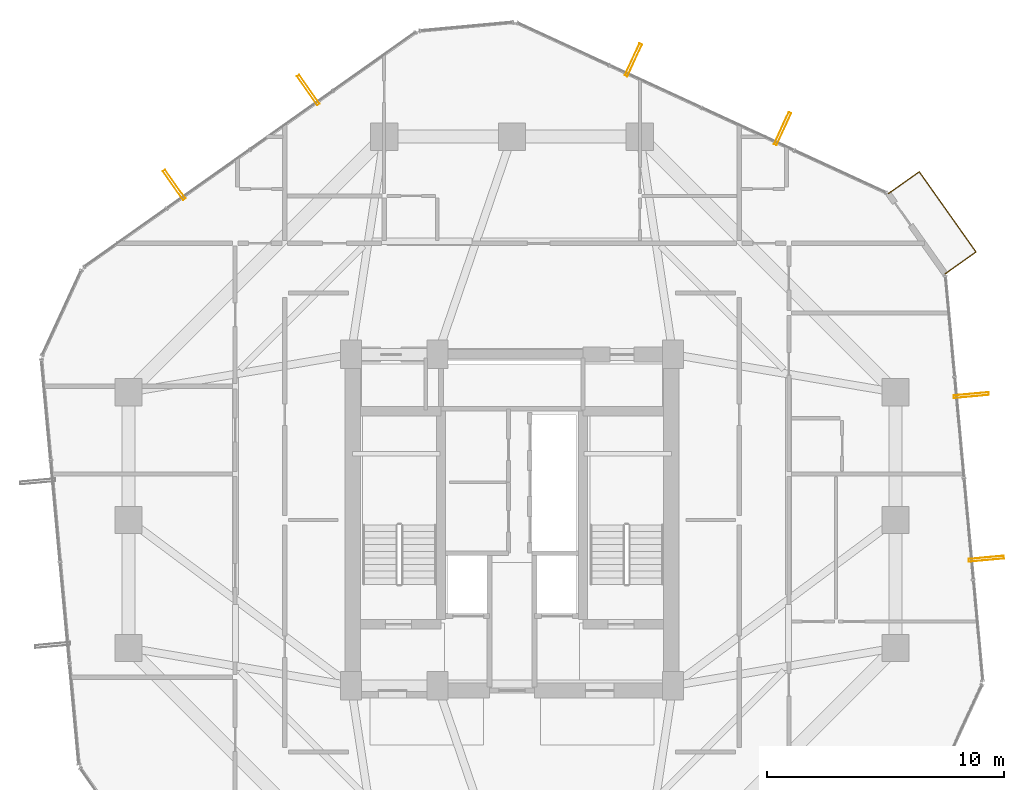
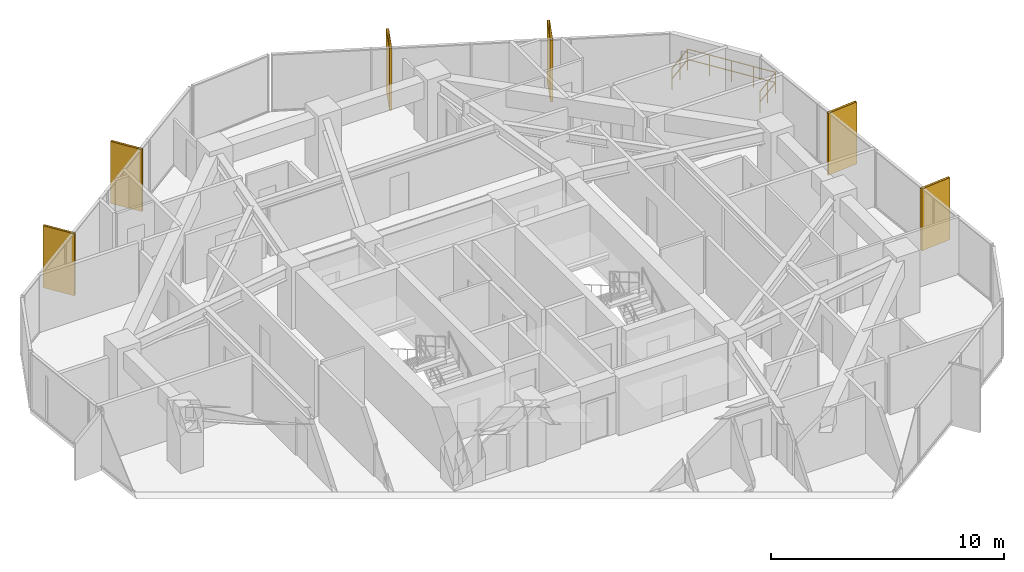
# One storey, part 33 of 33: 6 shading devices, 1 railing.
"""IFC4 building model written with IfcOpenShell, lengths in metres."""

from ifc_helpers import new_model, si_unit, direction, frame, origin, origin_2d, place, context, subcontext, project, spatial, hollow_rectangle, circle, extrude, material, material_profile, profile_set, type_object, element, save


model = new_model("IFC4")

# Units and contexts
model_context = context("Model", 3, precision=1e-05, world=origin(), true_north=direction((0.0, 1.0)))
body_context = subcontext(model_context, "Body", "Model", "MODEL_VIEW")
ifc_project = project(units=[si_unit("LENGTHUNIT", "METRE"), si_unit("AREAUNIT", "SQUARE_METRE"), si_unit("VOLUMEUNIT", "CUBIC_METRE"), si_unit("PLANEANGLEUNIT", "RADIAN"), si_unit("MASSUNIT", "GRAM", prefix="KILO")], contexts=[model_context])

# Site, building, storey
site_placement = place(None, origin())
site = spatial("IfcSite", under=ifc_project, at=site_placement, CompositionType="ELEMENT")
building_placement = place(site_placement, origin())
building = spatial("IfcBuilding", under=site, at=building_placement, Name="Veraguas Prism Commons", CompositionType="ELEMENT")
storey_placement = place(building_placement, frame((0.0, 0.0, 145.75)))
storey = spatial("IfcBuildingStorey", under=building, at=storey_placement, Name="L41", CompositionType="ELEMENT", Elevation=145.75)

# Shading devices
ifc_material_1 = material(Name="Anodised aluminium EN AW-6063 T6", Category="aluminium")
ifc_material_profile = material_profile(ifc_material_1, hollow_rectangle(XDim=0.1201171875, YDim=1.489990234375, WallThickness=0.006103515625, at=origin_2d()), Name="FIN120X1490X6")
ifc_profile_set = profile_set([ifc_material_profile], Name="Anodised aluminium EN AW-6063 T6")
shading_device_type = type_object("IfcShadingDeviceType", Name="Deep Pale-Metal Vertical Solar Fin 120x1490", PredefinedType="USERDEFINED", material=ifc_profile_set)
for number, where, z_axis, x_axis, name in (
    (1, (35.43603515625, 40.541015625, -0.22998046875), (0.0, 0.0, 1.0), (-0.908362259055, 0.418184177516, 0.0), "Vertical Pale-Metal Solar Fin L41-F1A"),
    (2, (29.13037109375, 43.44384765625, -0.22998046875), (0.0, 0.0, 1.0), (-0.908362259055, 0.418184177516, 0.0), "Vertical Pale-Metal Solar Fin L41-F1B"),
    (3, (15.393310546875, 42.17431640625, -0.22998046875), (0.0, 0.0, 1.0), (-0.81634025877, -0.577571278641, 0.0), "Vertical Pale-Metal Solar Fin L41-F2A"),
    (4, (9.726318359375, 38.164794921875, -0.22998046875), (0.0, 0.0, 1.0), (-0.81634025877, -0.577571278641, 0.0), "Vertical Pale-Metal Solar Fin L41-F2B"),
    (5, (44.042724609375, 22.36669921875, -0.22998046875), (0.0, 0.0, 1.0), (-0.092023008338, 0.995756880939, 0.0), "Vertical Pale-Metal Solar Fin L41-F6A"),
    (6, (43.404052734375, 29.27880859375, -0.22998046875), (0.0, 0.0, 1.0), (-0.092023008338, 0.995756880939, 0.0), "Vertical Pale-Metal Solar Fin L41-F6B"),
):
    element("IfcShadingDevice", number, at=place(storey_placement, frame(where, z_axis=z_axis, x_axis=x_axis)), inside=storey, type_object=shading_device_type, Name=name, ObjectType="FIN", PredefinedType="USERDEFINED", context=body_context, shape_type="SweptSolid", body=[
        extrude(hollow_rectangle(XDim=0.1201171875, YDim=1.489990234375, WallThickness=0.006103515625, at=origin_2d()), origin(), (0.0, 0.0, 1.0), 3.25),
    ])

# Railing
ifc_material_2 = material(Name="Stainless steel AISI 316", Category="steel")
railing_type = type_object("IfcRailingType", Name="Loggia and Sky Pool Glazed Balustrade 1120", PredefinedType="BALUSTRADE", material=ifc_material_2)
railing_placement = place(storey_placement, frame((42.302490234375, 34.405517578125, 0.0)))
element("IfcRailing", 7, at=railing_placement, inside=storey, type_object=railing_type, Name="Recessed Corner Loggia L41-C1 Guard", PredefinedType="BALUSTRADE", context=body_context, shape_type="SweptSolid", body=[
    extrude(circle(Radius=0.02392578125, at=origin_2d()), frame((0.0, 0.0, 1.09619140625), z_axis=(0.816354223939, 0.57755153974, 0.0), x_axis=(-0.57755153974, 0.816354223939, 0.0)), (0.0, 0.0, 1.0), 1.60009765625),
    extrude(circle(Radius=0.02392578125, at=origin_2d()), frame((0.0, 0.0, 0.56005859375), z_axis=(0.816354223939, 0.57755153974, 0.0), x_axis=(-0.57755153974, 0.816354223939, 0.0)), (0.0, 0.0, 1.0), 1.60009765625),
    extrude(circle(Radius=0.02392578125, at=origin_2d()), frame((1.30615234375, 0.924072265625, 1.09619140625), z_axis=(-0.577534478602, 0.816366294028, 0.0), x_axis=(-0.816366294028, -0.577534478602, 0.0)), (0.0, 0.0, 1.0), 4.1533203125),
    extrude(circle(Radius=0.02392578125, at=origin_2d()), frame((1.30615234375, 0.924072265625, 0.56005859375), z_axis=(-0.577534478602, 0.816366294028, 0.0), x_axis=(-0.816366294028, -0.577534478602, 0.0)), (0.0, 0.0, 1.0), 4.1533203125),
    extrude(circle(Radius=0.02392578125, at=origin_2d()), frame((-1.092529296875, 4.314697265625, 1.09619140625), z_axis=(-0.816282280001, -0.577653217212, 0.0), x_axis=(0.577653217212, -0.816282280001, 0.0)), (0.0, 0.0, 1.0), 1.60009765625),
    extrude(circle(Radius=0.02392578125, at=origin_2d()), frame((-1.092529296875, 4.314697265625, 0.56005859375), z_axis=(-0.816282280001, -0.577653217212, 0.0), x_axis=(0.577653217212, -0.816282280001, 0.0)), (0.0, 0.0, 1.0), 1.60009765625),
    extrude(circle(Radius=0.02099609375, at=origin_2d()), origin(), (0.0, 0.0, 1.0), 1.072021484375),
    extrude(circle(Radius=0.02099609375, at=origin_2d()), frame((0.653076171875, 0.4619140625, 0.0)), (0.0, 0.0, 1.0), 1.072021484375),
    extrude(circle(Radius=0.02099609375, at=origin_2d()), frame((1.30615234375, 0.924072265625, 0.0)), (0.0, 0.0, 1.0), 1.072021484375),
    extrude(circle(Radius=0.02099609375, at=origin_2d()), frame((0.70654296875, 1.771728515625, 0.0)), (0.0, 0.0, 1.0), 1.072021484375),
    extrude(circle(Radius=0.02099609375, at=origin_2d()), frame((0.10693359375, 2.619384765625, 0.0)), (0.0, 0.0, 1.0), 1.072021484375),
    extrude(circle(Radius=0.02099609375, at=origin_2d()), frame((-0.492919921875, 3.467041015625, 0.0)), (0.0, 0.0, 1.0), 1.072021484375),
    extrude(circle(Radius=0.02099609375, at=origin_2d()), frame((-1.092529296875, 4.314697265625, 0.0)), (0.0, 0.0, 1.0), 1.072021484375),
    extrude(circle(Radius=0.02099609375, at=origin_2d()), frame((-1.74560546875, 3.8525390625, 0.0)), (0.0, 0.0, 1.0), 1.072021484375),
    extrude(circle(Radius=0.02099609375, at=origin_2d()), frame((-2.398681640625, 3.390380859375, 0.0)), (0.0, 0.0, 1.0), 1.072021484375),
])

save(model, "model.ifc")
